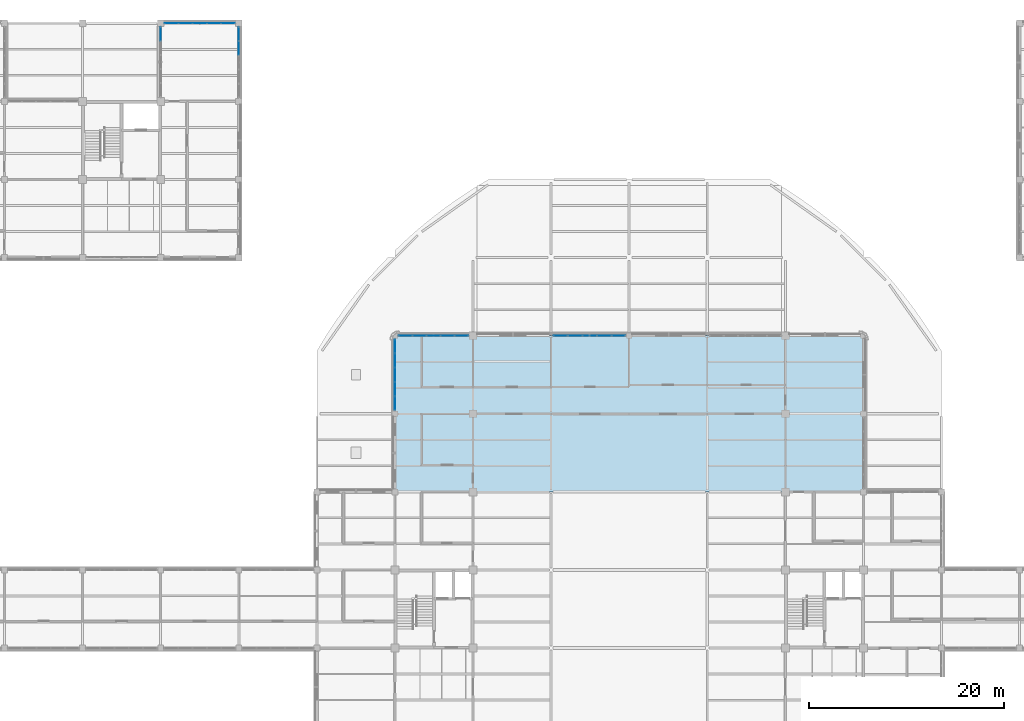
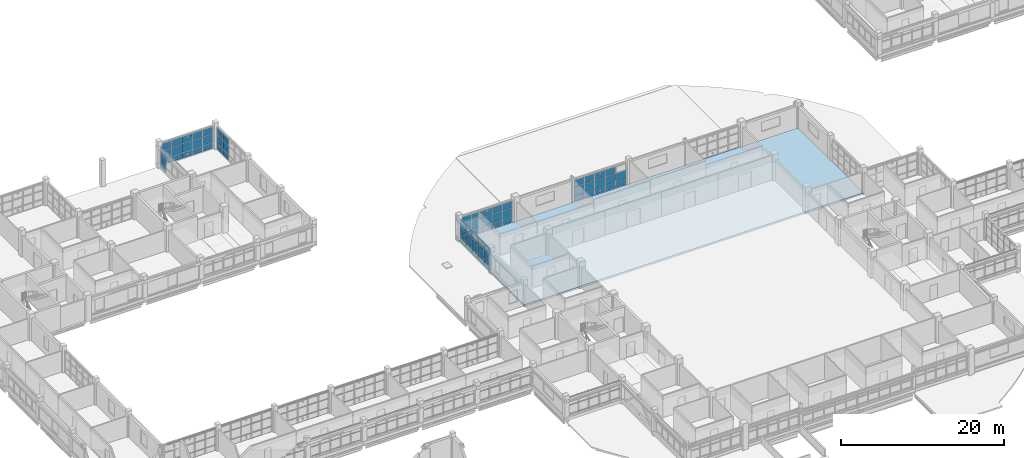
# One storey, part 75 of 126: 68 plates, 1 slab, 6 elements without a shape of their own.
"""IFC4 building model written with IfcOpenShell, lengths in metres."""

from ifc_helpers import new_model, si_unit, derived_unit, direction, frame, origin, origin_2d, place, context, subcontext, project, spatial, polyline, rectangle, outline, extrude, material, layer, layer_set, type_object, element, aggregate, save


model = new_model("IFC4")

# Units and contexts
model_context = context("Model", 3, precision=1e-05, world=origin(), true_north=direction((0.0, 1.0)))
body_context = subcontext(model_context, "Body", "Model", "MODEL_VIEW")
ifc_project = project(units=[si_unit("LENGTHUNIT", "METRE"), si_unit("AREAUNIT", "SQUARE_METRE"), si_unit("VOLUMEUNIT", "CUBIC_METRE"), si_unit("PLANEANGLEUNIT", "RADIAN"), si_unit("MASSUNIT", "GRAM", prefix="KILO"), derived_unit("THERMALTRANSMITTANCEUNIT", [(si_unit("MASSUNIT", "GRAM", prefix="KILO"), 1), (si_unit("TIMEUNIT", "SECOND"), -3), (si_unit("THERMODYNAMICTEMPERATUREUNIT", "KELVIN"), -1)])], contexts=[model_context])

# Site, building, storey
site_placement = place(None, origin())
site = spatial("IfcSite", under=ifc_project, at=site_placement, CompositionType="ELEMENT")
building_placement = place(site_placement, origin())
building = spatial("IfcBuilding", under=site, at=building_placement, Name="Veyamyaing Civic Hall", CompositionType="ELEMENT")
storey_placement = place(building_placement, frame((0.0, 0.0, 9.89990234375)))
storey = spatial("IfcBuildingStorey", under=building, at=storey_placement, Name="L02", CompositionType="ELEMENT", Elevation=9.89990234375)

# Curtain wall, plates
ifc_material_1 = material(Name="Anodised aluminium 6063-T6", Category="aluminium")
ifc_layer_1 = layer(ifc_material_1, 0.159912109375, Name="Anodised aluminium 6063-T6")
ifc_layer_set_1 = layer_set([ifc_layer_1], Name="Anodised aluminium 6063-T6")
curtain_wall_type = type_object("IfcCurtainWallType", Name="CW-03", PredefinedType="NOTDEFINED", material=ifc_layer_set_1)
curtain_wall_1_placement = place(storey_placement, origin())
curtain_wall_1 = element("IfcCurtainWall", 1, at=curtain_wall_1_placement, inside=storey, type_object=curtain_wall_type, Name="Unitized curtain wall CW-03 L02 N 9.10", PredefinedType="NOTDEFINED")
ifc_material_2 = material(Name="Low-E insulated glass", Category="glass")
ifc_layer_2 = layer(ifc_material_2, 0.035888671875, Name="Low-E insulated glass")
ifc_layer_set_2 = layer_set([ifc_layer_2], Name="Low-E insulated glass")
plate_type_1 = type_object("IfcPlateType", Name="CWP-03", PredefinedType="CURTAIN_PANEL", material=ifc_layer_set_2)
plate_1_placement = place(storey_placement, frame((65.0703125, 80.0, 0.06494140625), z_axis=(0.0, 0.0, 1.0), x_axis=(1.0, 0.0, 0.0)))
plate_1 = element("IfcPlate", 2, at=plate_1_placement, type_object=plate_type_1, Name="CW-03 panel 1.1", PredefinedType="CURTAIN_PANEL", context=body_context, shape_type="SweptSolid", body=[
    extrude(rectangle(XDim=1.3505859375, YDim=0.035888671875, at=origin_2d()), origin(), (0.0, 0.0, 1.0), 0.802490234375),
])
plate_2_placement = place(storey_placement, frame((65.0703125, 80.0, 0.9326171875), z_axis=(0.0, 0.0, 1.0), x_axis=(1.0, 0.0, 0.0)))
plate_2 = element("IfcPlate", 3, at=plate_2_placement, type_object=plate_type_1, Name="CW-03 panel 1.2", PredefinedType="CURTAIN_PANEL", context=body_context, shape_type="SweptSolid", body=[
    extrude(rectangle(XDim=1.3505859375, YDim=0.035888671875, at=origin_2d()), origin(), (0.0, 0.0, 1.0), 1.265380859375),
])
plate_3_placement = place(storey_placement, frame((65.0703125, 80.0, 2.262939453125), z_axis=(0.0, 0.0, 1.0), x_axis=(1.0, 0.0, 0.0)))
plate_3 = element("IfcPlate", 4, at=plate_3_placement, type_object=plate_type_1, Name="CW-03 panel 1.3", PredefinedType="CURTAIN_PANEL", context=body_context, shape_type="SweptSolid", body=[
    extrude(rectangle(XDim=1.3505859375, YDim=0.035888671875, at=origin_2d()), origin(), (0.0, 0.0, 1.0), 0.9521484375),
])
plate_4_placement = place(storey_placement, frame((66.501953125, 80.0, 0.06494140625), z_axis=(0.0, 0.0, 1.0), x_axis=(1.0, 0.0, 0.0)))
plate_4 = element("IfcPlate", 5, at=plate_4_placement, type_object=plate_type_1, Name="CW-03 panel 2.1", PredefinedType="CURTAIN_PANEL", context=body_context, shape_type="SweptSolid", body=[
    extrude(rectangle(XDim=1.383056640625, YDim=0.035888671875, at=origin_2d()), origin(), (0.0, 0.0, 1.0), 0.802490234375),
])
plate_5_placement = place(storey_placement, frame((66.501953125, 80.0, 0.9326171875), z_axis=(0.0, 0.0, 1.0), x_axis=(1.0, 0.0, 0.0)))
plate_5 = element("IfcPlate", 6, at=plate_5_placement, type_object=plate_type_1, Name="CW-03 panel 2.2", PredefinedType="CURTAIN_PANEL", context=body_context, shape_type="SweptSolid", body=[
    extrude(rectangle(XDim=1.383056640625, YDim=0.035888671875, at=origin_2d()), origin(), (0.0, 0.0, 1.0), 1.265380859375),
])
plate_6_placement = place(storey_placement, frame((66.501953125, 80.0, 2.262939453125), z_axis=(0.0, 0.0, 1.0), x_axis=(1.0, 0.0, 0.0)))
plate_6 = element("IfcPlate", 7, at=plate_6_placement, type_object=plate_type_1, Name="CW-03 panel 2.3", PredefinedType="CURTAIN_PANEL", context=body_context, shape_type="SweptSolid", body=[
    extrude(rectangle(XDim=1.383056640625, YDim=0.035888671875, at=origin_2d()), origin(), (0.0, 0.0, 1.0), 0.9521484375),
])
plate_7_placement = place(storey_placement, frame((67.949951171875, 80.0, 0.06494140625), z_axis=(0.0, 0.0, 1.0), x_axis=(1.0, 0.0, 0.0)))
plate_7 = element("IfcPlate", 8, at=plate_7_placement, type_object=plate_type_1, Name="CW-03 panel 3.1", PredefinedType="CURTAIN_PANEL", context=body_context, shape_type="SweptSolid", body=[
    extrude(rectangle(XDim=1.383056640625, YDim=0.035888671875, at=origin_2d()), origin(), (0.0, 0.0, 1.0), 0.802490234375),
])
plate_8_placement = place(storey_placement, frame((67.949951171875, 80.0, 0.9326171875), z_axis=(0.0, 0.0, 1.0), x_axis=(1.0, 0.0, 0.0)))
plate_8 = element("IfcPlate", 9, at=plate_8_placement, type_object=plate_type_1, Name="CW-03 panel 3.2", PredefinedType="CURTAIN_PANEL", context=body_context, shape_type="SweptSolid", body=[
    extrude(rectangle(XDim=1.383056640625, YDim=0.035888671875, at=origin_2d()), origin(), (0.0, 0.0, 1.0), 1.265380859375),
])
plate_9_placement = place(storey_placement, frame((67.949951171875, 80.0, 2.262939453125), z_axis=(0.0, 0.0, 1.0), x_axis=(1.0, 0.0, 0.0)))
plate_9 = element("IfcPlate", 10, at=plate_9_placement, type_object=plate_type_1, Name="CW-03 panel 3.3", PredefinedType="CURTAIN_PANEL", context=body_context, shape_type="SweptSolid", body=[
    extrude(rectangle(XDim=1.383056640625, YDim=0.035888671875, at=origin_2d()), origin(), (0.0, 0.0, 1.0), 0.9521484375),
])
plate_10_placement = place(storey_placement, frame((69.39794921875, 80.0, 0.06494140625), z_axis=(0.0, 0.0, 1.0), x_axis=(1.0, 0.0, 0.0)))
plate_10 = element("IfcPlate", 11, at=plate_10_placement, type_object=plate_type_1, Name="CW-03 panel 4.1", PredefinedType="CURTAIN_PANEL", context=body_context, shape_type="SweptSolid", body=[
    extrude(rectangle(XDim=1.383056640625, YDim=0.035888671875, at=origin_2d()), origin(), (0.0, 0.0, 1.0), 0.802490234375),
])
plate_11_placement = place(storey_placement, frame((69.39794921875, 80.0, 0.9326171875), z_axis=(0.0, 0.0, 1.0), x_axis=(1.0, 0.0, 0.0)))
plate_11 = element("IfcPlate", 12, at=plate_11_placement, type_object=plate_type_1, Name="CW-03 panel 4.2", PredefinedType="CURTAIN_PANEL", context=body_context, shape_type="SweptSolid", body=[
    extrude(rectangle(XDim=1.383056640625, YDim=0.035888671875, at=origin_2d()), origin(), (0.0, 0.0, 1.0), 1.265380859375),
])
plate_12_placement = place(storey_placement, frame((69.39794921875, 80.0, 2.262939453125), z_axis=(0.0, 0.0, 1.0), x_axis=(1.0, 0.0, 0.0)))
plate_12 = element("IfcPlate", 13, at=plate_12_placement, type_object=plate_type_1, Name="CW-03 panel 4.3", PredefinedType="CURTAIN_PANEL", context=body_context, shape_type="SweptSolid", body=[
    extrude(rectangle(XDim=1.383056640625, YDim=0.035888671875, at=origin_2d()), origin(), (0.0, 0.0, 1.0), 0.9521484375),
])
plate_13_placement = place(storey_placement, frame((70.829833984375, 80.0, 0.06494140625), z_axis=(0.0, 0.0, 1.0), x_axis=(1.0, 0.0, 0.0)))
plate_13 = element("IfcPlate", 14, at=plate_13_placement, type_object=plate_type_1, Name="CW-03 panel 5.1", PredefinedType="CURTAIN_PANEL", context=body_context, shape_type="SweptSolid", body=[
    extrude(rectangle(XDim=1.3505859375, YDim=0.035888671875, at=origin_2d()), origin(), (0.0, 0.0, 1.0), 0.802490234375),
])
plate_14_placement = place(storey_placement, frame((70.829833984375, 80.0, 0.9326171875), z_axis=(0.0, 0.0, 1.0), x_axis=(1.0, 0.0, 0.0)))
plate_14 = element("IfcPlate", 15, at=plate_14_placement, type_object=plate_type_1, Name="CW-03 panel 5.2", PredefinedType="CURTAIN_PANEL", context=body_context, shape_type="SweptSolid", body=[
    extrude(rectangle(XDim=1.3505859375, YDim=0.035888671875, at=origin_2d()), origin(), (0.0, 0.0, 1.0), 1.265380859375),
])
plate_15_placement = place(storey_placement, frame((70.829833984375, 80.0, 2.262939453125), z_axis=(0.0, 0.0, 1.0), x_axis=(1.0, 0.0, 0.0)))
plate_15 = element("IfcPlate", 16, at=plate_15_placement, type_object=plate_type_1, Name="CW-03 panel 5.3", PredefinedType="CURTAIN_PANEL", context=body_context, shape_type="SweptSolid", body=[
    extrude(rectangle(XDim=1.3505859375, YDim=0.035888671875, at=origin_2d()), origin(), (0.0, 0.0, 1.0), 0.9521484375),
])
aggregate(curtain_wall_1, [plate_1, plate_2, plate_3, plate_4, plate_5, plate_6, plate_7, plate_8, plate_9, plate_10, plate_11, plate_12, plate_13, plate_14, plate_15])

curtain_wall_2_placement = place(storey_placement, origin())
curtain_wall_2 = element("IfcCurtainWall", 17, at=curtain_wall_2_placement, inside=storey, type_object=curtain_wall_type, Name="Unitized curtain wall CW-03 L02 W 9.10", PredefinedType="NOTDEFINED")
plate_16_placement = place(storey_placement, frame((64.0, 73.080322265625, 0.06494140625), z_axis=(0.0, 0.0, 1.0), x_axis=(0.0, 1.0, 0.0)))
plate_16 = element("IfcPlate", 18, at=plate_16_placement, type_object=plate_type_1, Name="CW-03 panel 1.1", PredefinedType="CURTAIN_PANEL", context=body_context, shape_type="SweptSolid", body=[
    extrude(rectangle(XDim=1.37060546875, YDim=0.035888671875, at=origin_2d()), origin(), (0.0, 0.0, 1.0), 0.802490234375),
])
plate_17_placement = place(storey_placement, frame((64.0, 73.080322265625, 0.9326171875), z_axis=(0.0, 0.0, 1.0), x_axis=(0.0, 1.0, 0.0)))
plate_17 = element("IfcPlate", 19, at=plate_17_placement, type_object=plate_type_1, Name="CW-03 panel 1.2", PredefinedType="CURTAIN_PANEL", context=body_context, shape_type="SweptSolid", body=[
    extrude(rectangle(XDim=1.37060546875, YDim=0.035888671875, at=origin_2d()), origin(), (0.0, 0.0, 1.0), 1.31103515625),
])
plate_18_placement = place(storey_placement, frame((64.0, 73.080322265625, 2.30859375), z_axis=(0.0, 0.0, 1.0), x_axis=(0.0, 1.0, 0.0)))
plate_18 = element("IfcPlate", 20, at=plate_18_placement, type_object=plate_type_1, Name="CW-03 panel 1.3", PredefinedType="CURTAIN_PANEL", context=body_context, shape_type="SweptSolid", body=[
    extrude(rectangle(XDim=1.37060546875, YDim=0.035888671875, at=origin_2d()), origin(), (0.0, 0.0, 1.0), 0.973388671875),
])
plate_19_placement = place(storey_placement, frame((64.0, 74.531982421875, 0.06494140625), z_axis=(0.0, 0.0, 1.0), x_axis=(0.0, 1.0, 0.0)))
plate_19 = element("IfcPlate", 21, at=plate_19_placement, type_object=plate_type_1, Name="CW-03 panel 2.1", PredefinedType="CURTAIN_PANEL", context=body_context, shape_type="SweptSolid", body=[
    extrude(rectangle(XDim=1.403076171875, YDim=0.035888671875, at=origin_2d()), origin(), (0.0, 0.0, 1.0), 0.802490234375),
])
plate_20_placement = place(storey_placement, frame((64.0, 74.531982421875, 0.9326171875), z_axis=(0.0, 0.0, 1.0), x_axis=(0.0, 1.0, 0.0)))
plate_20 = element("IfcPlate", 22, at=plate_20_placement, type_object=plate_type_1, Name="CW-03 panel 2.2", PredefinedType="CURTAIN_PANEL", context=body_context, shape_type="SweptSolid", body=[
    extrude(rectangle(XDim=1.403076171875, YDim=0.035888671875, at=origin_2d()), origin(), (0.0, 0.0, 1.0), 1.31103515625),
])
plate_21_placement = place(storey_placement, frame((64.0, 74.531982421875, 2.30859375), z_axis=(0.0, 0.0, 1.0), x_axis=(0.0, 1.0, 0.0)))
plate_21 = element("IfcPlate", 23, at=plate_21_placement, type_object=plate_type_1, Name="CW-03 panel 2.3", PredefinedType="CURTAIN_PANEL", context=body_context, shape_type="SweptSolid", body=[
    extrude(rectangle(XDim=1.403076171875, YDim=0.035888671875, at=origin_2d()), origin(), (0.0, 0.0, 1.0), 0.973388671875),
])
plate_22_placement = place(storey_placement, frame((64.0, 76.0, 0.06494140625), z_axis=(0.0, 0.0, 1.0), x_axis=(0.0, 1.0, 0.0)))
plate_22 = element("IfcPlate", 24, at=plate_22_placement, type_object=plate_type_1, Name="CW-03 panel 3.1", PredefinedType="CURTAIN_PANEL", context=body_context, shape_type="SweptSolid", body=[
    extrude(rectangle(XDim=1.403076171875, YDim=0.035888671875, at=origin_2d()), origin(), (0.0, 0.0, 1.0), 0.802490234375),
])
plate_23_placement = place(storey_placement, frame((64.0, 76.0, 0.9326171875), z_axis=(0.0, 0.0, 1.0), x_axis=(0.0, 1.0, 0.0)))
plate_23 = element("IfcPlate", 25, at=plate_23_placement, type_object=plate_type_1, Name="CW-03 panel 3.2", PredefinedType="CURTAIN_PANEL", context=body_context, shape_type="SweptSolid", body=[
    extrude(rectangle(XDim=1.403076171875, YDim=0.035888671875, at=origin_2d()), origin(), (0.0, 0.0, 1.0), 1.31103515625),
])
plate_24_placement = place(storey_placement, frame((64.0, 76.0, 2.30859375), z_axis=(0.0, 0.0, 1.0), x_axis=(0.0, 1.0, 0.0)))
plate_24 = element("IfcPlate", 26, at=plate_24_placement, type_object=plate_type_1, Name="CW-03 panel 3.3", PredefinedType="CURTAIN_PANEL", context=body_context, shape_type="SweptSolid", body=[
    extrude(rectangle(XDim=1.403076171875, YDim=0.035888671875, at=origin_2d()), origin(), (0.0, 0.0, 1.0), 0.973388671875),
])
plate_25_placement = place(storey_placement, frame((64.0, 77.468017578125, 0.06494140625), z_axis=(0.0, 0.0, 1.0), x_axis=(0.0, 1.0, 0.0)))
plate_25 = element("IfcPlate", 27, at=plate_25_placement, type_object=plate_type_1, Name="CW-03 panel 4.1", PredefinedType="CURTAIN_PANEL", context=body_context, shape_type="SweptSolid", body=[
    extrude(rectangle(XDim=1.403076171875, YDim=0.035888671875, at=origin_2d()), origin(), (0.0, 0.0, 1.0), 0.802490234375),
])
plate_26_placement = place(storey_placement, frame((64.0, 77.468017578125, 0.9326171875), z_axis=(0.0, 0.0, 1.0), x_axis=(0.0, 1.0, 0.0)))
plate_26 = element("IfcPlate", 28, at=plate_26_placement, type_object=plate_type_1, Name="CW-03 panel 4.2", PredefinedType="CURTAIN_PANEL", context=body_context, shape_type="SweptSolid", body=[
    extrude(rectangle(XDim=1.403076171875, YDim=0.035888671875, at=origin_2d()), origin(), (0.0, 0.0, 1.0), 1.31103515625),
])
plate_27_placement = place(storey_placement, frame((64.0, 77.468017578125, 2.30859375), z_axis=(0.0, 0.0, 1.0), x_axis=(0.0, 1.0, 0.0)))
plate_27 = element("IfcPlate", 29, at=plate_27_placement, type_object=plate_type_1, Name="CW-03 panel 4.3", PredefinedType="CURTAIN_PANEL", context=body_context, shape_type="SweptSolid", body=[
    extrude(rectangle(XDim=1.403076171875, YDim=0.035888671875, at=origin_2d()), origin(), (0.0, 0.0, 1.0), 0.973388671875),
])
plate_28_placement = place(storey_placement, frame((64.0, 78.919677734375, 0.06494140625), z_axis=(0.0, 0.0, 1.0), x_axis=(0.0, 1.0, 0.0)))
plate_28 = element("IfcPlate", 30, at=plate_28_placement, type_object=plate_type_1, Name="CW-03 panel 5.1", PredefinedType="CURTAIN_PANEL", context=body_context, shape_type="SweptSolid", body=[
    extrude(rectangle(XDim=1.37060546875, YDim=0.035888671875, at=origin_2d()), origin(), (0.0, 0.0, 1.0), 0.802490234375),
])
plate_29_placement = place(storey_placement, frame((64.0, 78.919677734375, 0.9326171875), z_axis=(0.0, 0.0, 1.0), x_axis=(0.0, 1.0, 0.0)))
plate_29 = element("IfcPlate", 31, at=plate_29_placement, type_object=plate_type_1, Name="CW-03 panel 5.2", PredefinedType="CURTAIN_PANEL", context=body_context, shape_type="SweptSolid", body=[
    extrude(rectangle(XDim=1.37060546875, YDim=0.035888671875, at=origin_2d()), origin(), (0.0, 0.0, 1.0), 1.31103515625),
])
plate_30_placement = place(storey_placement, frame((64.0, 78.919677734375, 2.30859375), z_axis=(0.0, 0.0, 1.0), x_axis=(0.0, 1.0, 0.0)))
plate_30 = element("IfcPlate", 32, at=plate_30_placement, type_object=plate_type_1, Name="CW-03 panel 5.3", PredefinedType="CURTAIN_PANEL", context=body_context, shape_type="SweptSolid", body=[
    extrude(rectangle(XDim=1.37060546875, YDim=0.035888671875, at=origin_2d()), origin(), (0.0, 0.0, 1.0), 0.973388671875),
])
aggregate(curtain_wall_2, [plate_16, plate_17, plate_18, plate_19, plate_20, plate_21, plate_22, plate_23, plate_24, plate_25, plate_26, plate_27, plate_28, plate_29, plate_30])

curtain_wall_3_placement = place(storey_placement, origin())
curtain_wall_3 = element("IfcCurtainWall", 33, at=curtain_wall_3_placement, inside=storey, type_object=curtain_wall_type, Name="Unitized curtain wall CW-03 L02 N 6.14", PredefinedType="NOTDEFINED")
ifc_layer_3 = layer(ifc_material_2, 0.02392578125, Name="Low-E insulated glass")
ifc_layer_set_3 = layer_set([ifc_layer_3], Name="Low-E insulated glass")
plate_type_2 = type_object("IfcPlateType", Name="CWP-04", PredefinedType="CURTAIN_PANEL", material=ifc_layer_set_3)
plate_31_placement = place(storey_placement, frame((41.100341796875, 112.0, 0.06494140625), z_axis=(0.0, 0.0, 1.0), x_axis=(1.0, 0.0, 0.0)))
plate_31 = element("IfcPlate", 34, at=plate_31_placement, type_object=plate_type_2, Name="CW-03 panel 1.1", PredefinedType="CURTAIN_PANEL", context=body_context, shape_type="SweptSolid", body=[
    extrude(rectangle(XDim=1.360595703125, YDim=0.02392578125, at=origin_2d()), origin(), (0.0, 0.0, 1.0), 0.802490234375),
])
plate_32_placement = place(storey_placement, frame((41.100341796875, 112.0, 0.9326171875), z_axis=(0.0, 0.0, 1.0), x_axis=(1.0, 0.0, 0.0)))
plate_32 = element("IfcPlate", 35, at=plate_32_placement, type_object=plate_type_2, Name="CW-03 panel 1.2", PredefinedType="CURTAIN_PANEL", context=body_context, shape_type="SweptSolid", body=[
    extrude(rectangle(XDim=1.360595703125, YDim=0.02392578125, at=origin_2d()), origin(), (0.0, 0.0, 1.0), 1.308837890625),
])
plate_33_placement = place(storey_placement, frame((41.100341796875, 112.0, 2.306396484375), z_axis=(0.0, 0.0, 1.0), x_axis=(1.0, 0.0, 0.0)))
plate_33 = element("IfcPlate", 36, at=plate_33_placement, type_object=plate_type_2, Name="CW-03 panel 1.3", PredefinedType="CURTAIN_PANEL", context=body_context, shape_type="SweptSolid", body=[
    extrude(rectangle(XDim=1.360595703125, YDim=0.02392578125, at=origin_2d()), origin(), (0.0, 0.0, 1.0), 0.97265625),
])
plate_34_placement = place(storey_placement, frame((42.5419921875, 112.0, 0.06494140625), z_axis=(0.0, 0.0, 1.0), x_axis=(1.0, 0.0, 0.0)))
plate_34 = element("IfcPlate", 37, at=plate_34_placement, type_object=plate_type_2, Name="CW-03 panel 2.1", PredefinedType="CURTAIN_PANEL", context=body_context, shape_type="SweptSolid", body=[
    extrude(rectangle(XDim=1.39306640625, YDim=0.02392578125, at=origin_2d()), origin(), (0.0, 0.0, 1.0), 0.802490234375),
])
plate_35_placement = place(storey_placement, frame((42.5419921875, 112.0, 0.9326171875), z_axis=(0.0, 0.0, 1.0), x_axis=(1.0, 0.0, 0.0)))
plate_35 = element("IfcPlate", 38, at=plate_35_placement, type_object=plate_type_2, Name="CW-03 panel 2.2", PredefinedType="CURTAIN_PANEL", context=body_context, shape_type="SweptSolid", body=[
    extrude(rectangle(XDim=1.39306640625, YDim=0.02392578125, at=origin_2d()), origin(), (0.0, 0.0, 1.0), 1.308837890625),
])
plate_36_placement = place(storey_placement, frame((42.5419921875, 112.0, 2.306396484375), z_axis=(0.0, 0.0, 1.0), x_axis=(1.0, 0.0, 0.0)))
plate_36 = element("IfcPlate", 39, at=plate_36_placement, type_object=plate_type_2, Name="CW-03 panel 2.3", PredefinedType="CURTAIN_PANEL", context=body_context, shape_type="SweptSolid", body=[
    extrude(rectangle(XDim=1.39306640625, YDim=0.02392578125, at=origin_2d()), origin(), (0.0, 0.0, 1.0), 0.97265625),
])
plate_37_placement = place(storey_placement, frame((44.0, 112.0, 0.06494140625), z_axis=(0.0, 0.0, 1.0), x_axis=(1.0, 0.0, 0.0)))
plate_37 = element("IfcPlate", 40, at=plate_37_placement, type_object=plate_type_2, Name="CW-03 panel 3.1", PredefinedType="CURTAIN_PANEL", context=body_context, shape_type="SweptSolid", body=[
    extrude(rectangle(XDim=1.39306640625, YDim=0.02392578125, at=origin_2d()), origin(), (0.0, 0.0, 1.0), 0.802490234375),
])
plate_38_placement = place(storey_placement, frame((44.0, 112.0, 0.9326171875), z_axis=(0.0, 0.0, 1.0), x_axis=(1.0, 0.0, 0.0)))
plate_38 = element("IfcPlate", 41, at=plate_38_placement, type_object=plate_type_2, Name="CW-03 panel 3.2", PredefinedType="CURTAIN_PANEL", context=body_context, shape_type="SweptSolid", body=[
    extrude(rectangle(XDim=1.39306640625, YDim=0.02392578125, at=origin_2d()), origin(), (0.0, 0.0, 1.0), 1.308837890625),
])
plate_39_placement = place(storey_placement, frame((44.0, 112.0, 2.306396484375), z_axis=(0.0, 0.0, 1.0), x_axis=(1.0, 0.0, 0.0)))
plate_39 = element("IfcPlate", 42, at=plate_39_placement, type_object=plate_type_2, Name="CW-03 panel 3.3", PredefinedType="CURTAIN_PANEL", context=body_context, shape_type="SweptSolid", body=[
    extrude(rectangle(XDim=1.39306640625, YDim=0.02392578125, at=origin_2d()), origin(), (0.0, 0.0, 1.0), 0.97265625),
])
plate_40_placement = place(storey_placement, frame((45.4580078125, 112.0, 0.06494140625), z_axis=(0.0, 0.0, 1.0), x_axis=(1.0, 0.0, 0.0)))
plate_40 = element("IfcPlate", 43, at=plate_40_placement, type_object=plate_type_2, Name="CW-03 panel 4.1", PredefinedType="CURTAIN_PANEL", context=body_context, shape_type="SweptSolid", body=[
    extrude(rectangle(XDim=1.39306640625, YDim=0.02392578125, at=origin_2d()), origin(), (0.0, 0.0, 1.0), 0.802490234375),
])
plate_41_placement = place(storey_placement, frame((45.4580078125, 112.0, 0.9326171875), z_axis=(0.0, 0.0, 1.0), x_axis=(1.0, 0.0, 0.0)))
plate_41 = element("IfcPlate", 44, at=plate_41_placement, type_object=plate_type_2, Name="CW-03 panel 4.2", PredefinedType="CURTAIN_PANEL", context=body_context, shape_type="SweptSolid", body=[
    extrude(rectangle(XDim=1.39306640625, YDim=0.02392578125, at=origin_2d()), origin(), (0.0, 0.0, 1.0), 1.308837890625),
])
plate_42_placement = place(storey_placement, frame((45.4580078125, 112.0, 2.306396484375), z_axis=(0.0, 0.0, 1.0), x_axis=(1.0, 0.0, 0.0)))
plate_42 = element("IfcPlate", 45, at=plate_42_placement, type_object=plate_type_2, Name="CW-03 panel 4.3", PredefinedType="CURTAIN_PANEL", context=body_context, shape_type="SweptSolid", body=[
    extrude(rectangle(XDim=1.39306640625, YDim=0.02392578125, at=origin_2d()), origin(), (0.0, 0.0, 1.0), 0.97265625),
])
plate_43_placement = place(storey_placement, frame((46.899658203125, 112.0, 0.06494140625), z_axis=(0.0, 0.0, 1.0), x_axis=(1.0, 0.0, 0.0)))
plate_43 = element("IfcPlate", 46, at=plate_43_placement, type_object=plate_type_2, Name="CW-03 panel 5.1", PredefinedType="CURTAIN_PANEL", context=body_context, shape_type="SweptSolid", body=[
    extrude(rectangle(XDim=1.360595703125, YDim=0.02392578125, at=origin_2d()), origin(), (0.0, 0.0, 1.0), 0.802490234375),
])
plate_44_placement = place(storey_placement, frame((46.899658203125, 112.0, 0.9326171875), z_axis=(0.0, 0.0, 1.0), x_axis=(1.0, 0.0, 0.0)))
plate_44 = element("IfcPlate", 47, at=plate_44_placement, type_object=plate_type_2, Name="CW-03 panel 5.2", PredefinedType="CURTAIN_PANEL", context=body_context, shape_type="SweptSolid", body=[
    extrude(rectangle(XDim=1.360595703125, YDim=0.02392578125, at=origin_2d()), origin(), (0.0, 0.0, 1.0), 1.308837890625),
])
plate_45_placement = place(storey_placement, frame((46.899658203125, 112.0, 2.306396484375), z_axis=(0.0, 0.0, 1.0), x_axis=(1.0, 0.0, 0.0)))
plate_45 = element("IfcPlate", 48, at=plate_45_placement, type_object=plate_type_2, Name="CW-03 panel 5.3", PredefinedType="CURTAIN_PANEL", context=body_context, shape_type="SweptSolid", body=[
    extrude(rectangle(XDim=1.360595703125, YDim=0.02392578125, at=origin_2d()), origin(), (0.0, 0.0, 1.0), 0.97265625),
])
aggregate(curtain_wall_3, [plate_31, plate_32, plate_33, plate_34, plate_35, plate_36, plate_37, plate_38, plate_39, plate_40, plate_41, plate_42, plate_43, plate_44, plate_45])

curtain_wall_4_placement = place(storey_placement, origin())
curtain_wall_4 = element("IfcCurtainWall", 49, at=curtain_wall_4_placement, inside=storey, type_object=curtain_wall_type, Name="Unitized curtain wall CW-03 L02 W 6.14", PredefinedType="NOTDEFINED")
plate_46_placement = place(storey_placement, frame((40.0, 110.9072265625, 0.06494140625), z_axis=(0.0, 0.0, 1.0), x_axis=(0.0, 1.0, 0.0)))
plate_46 = element("IfcPlate", 50, at=plate_46_placement, type_object=plate_type_2, Name="CW-03 panel 5.1", PredefinedType="CURTAIN_PANEL", context=body_context, shape_type="SweptSolid", body=[
    extrude(rectangle(XDim=1.345458984375, YDim=0.02392578125, at=origin_2d()), origin(), (0.0, 0.0, 1.0), 0.802490234375),
])
plate_47_placement = place(storey_placement, frame((40.0, 110.9072265625, 0.9326171875), z_axis=(0.0, 0.0, 1.0), x_axis=(0.0, 1.0, 0.0)))
plate_47 = element("IfcPlate", 51, at=plate_47_placement, type_object=plate_type_2, Name="CW-03 panel 5.2", PredefinedType="CURTAIN_PANEL", context=body_context, shape_type="SweptSolid", body=[
    extrude(rectangle(XDim=1.345458984375, YDim=0.02392578125, at=origin_2d()), origin(), (0.0, 0.0, 1.0), 1.265380859375),
])
plate_48_placement = place(storey_placement, frame((40.0, 110.9072265625, 2.262939453125), z_axis=(0.0, 0.0, 1.0), x_axis=(0.0, 1.0, 0.0)))
plate_48 = element("IfcPlate", 52, at=plate_48_placement, type_object=plate_type_2, Name="CW-03 panel 5.3", PredefinedType="CURTAIN_PANEL", context=body_context, shape_type="SweptSolid", body=[
    extrude(rectangle(XDim=1.345458984375, YDim=0.02392578125, at=origin_2d()), origin(), (0.0, 0.0, 1.0), 0.9521484375),
])
aggregate(curtain_wall_4, [plate_46, plate_47, plate_48])

curtain_wall_5_placement = place(storey_placement, origin())
curtain_wall_5 = element("IfcCurtainWall", 53, at=curtain_wall_5_placement, inside=storey, type_object=curtain_wall_type, Name="Unitized curtain wall CW-03 L02 E 6.14", PredefinedType="NOTDEFINED")
plate_49_placement = place(storey_placement, frame((48.0, 109.4580078125, 0.06494140625), z_axis=(0.0, 0.0, 1.0), x_axis=(0.0, 1.0, 0.0)))
plate_49 = element("IfcPlate", 54, at=plate_49_placement, type_object=plate_type_2, Name="CW-03 panel 4.1", PredefinedType="CURTAIN_PANEL", context=body_context, shape_type="SweptSolid", body=[
    extrude(rectangle(XDim=1.39306640625, YDim=0.02392578125, at=origin_2d()), origin(), (0.0, 0.0, 1.0), 0.802490234375),
])
plate_50_placement = place(storey_placement, frame((48.0, 109.4580078125, 0.9326171875), z_axis=(0.0, 0.0, 1.0), x_axis=(0.0, 1.0, 0.0)))
plate_50 = element("IfcPlate", 55, at=plate_50_placement, type_object=plate_type_2, Name="CW-03 panel 4.2", PredefinedType="CURTAIN_PANEL", context=body_context, shape_type="SweptSolid", body=[
    extrude(rectangle(XDim=1.39306640625, YDim=0.02392578125, at=origin_2d()), origin(), (0.0, 0.0, 1.0), 1.308837890625),
])
plate_51_placement = place(storey_placement, frame((48.0, 109.4580078125, 2.306396484375), z_axis=(0.0, 0.0, 1.0), x_axis=(0.0, 1.0, 0.0)))
plate_51 = element("IfcPlate", 56, at=plate_51_placement, type_object=plate_type_2, Name="CW-03 panel 4.3", PredefinedType="CURTAIN_PANEL", context=body_context, shape_type="SweptSolid", body=[
    extrude(rectangle(XDim=1.39306640625, YDim=0.02392578125, at=origin_2d()), origin(), (0.0, 0.0, 1.0), 0.97265625),
])
plate_52_placement = place(storey_placement, frame((48.0, 110.899658203125, 0.06494140625), z_axis=(0.0, 0.0, 1.0), x_axis=(0.0, 1.0, 0.0)))
plate_52 = element("IfcPlate", 57, at=plate_52_placement, type_object=plate_type_2, Name="CW-03 panel 5.1", PredefinedType="CURTAIN_PANEL", context=body_context, shape_type="SweptSolid", body=[
    extrude(rectangle(XDim=1.360595703125, YDim=0.02392578125, at=origin_2d()), origin(), (0.0, 0.0, 1.0), 0.802490234375),
])
plate_53_placement = place(storey_placement, frame((48.0, 110.899658203125, 0.9326171875), z_axis=(0.0, 0.0, 1.0), x_axis=(0.0, 1.0, 0.0)))
plate_53 = element("IfcPlate", 58, at=plate_53_placement, type_object=plate_type_2, Name="CW-03 panel 5.2", PredefinedType="CURTAIN_PANEL", context=body_context, shape_type="SweptSolid", body=[
    extrude(rectangle(XDim=1.360595703125, YDim=0.02392578125, at=origin_2d()), origin(), (0.0, 0.0, 1.0), 1.308837890625),
])
plate_54_placement = place(storey_placement, frame((48.0, 110.899658203125, 2.306396484375), z_axis=(0.0, 0.0, 1.0), x_axis=(0.0, 1.0, 0.0)))
plate_54 = element("IfcPlate", 59, at=plate_54_placement, type_object=plate_type_2, Name="CW-03 panel 5.3", PredefinedType="CURTAIN_PANEL", context=body_context, shape_type="SweptSolid", body=[
    extrude(rectangle(XDim=1.360595703125, YDim=0.02392578125, at=origin_2d()), origin(), (0.0, 0.0, 1.0), 0.97265625),
])
aggregate(curtain_wall_5, [plate_49, plate_50, plate_51, plate_52, plate_53, plate_54])

curtain_wall_6_placement = place(storey_placement, origin())
curtain_wall_6 = element("IfcCurtainWall", 60, at=curtain_wall_6_placement, inside=storey, type_object=curtain_wall_type, Name="Unitized curtain wall CW-03 L02 N 11.10", PredefinedType="NOTDEFINED")
ifc_layer_4 = layer(ifc_material_2, 0.0400390625, Name="Low-E insulated glass")
ifc_layer_set_4 = layer_set([ifc_layer_4], Name="Low-E insulated glass")
plate_type_3 = type_object("IfcPlateType", Name="CWP-05", PredefinedType="CURTAIN_PANEL", material=ifc_layer_set_4)
plate_55_placement = place(storey_placement, frame((80.977294921875, 80.0, 0.06494140625), z_axis=(0.0, 0.0, 1.0), x_axis=(1.0, 0.0, 0.0)))
plate_55 = element("IfcPlate", 61, at=plate_55_placement, type_object=plate_type_3, Name="CW-03 panel 1.1", PredefinedType="CURTAIN_PANEL", context=body_context, shape_type="SweptSolid", body=[
    extrude(rectangle(XDim=1.393310546875, YDim=0.0400390625, at=origin_2d()), origin(), (0.0, 0.0, 1.0), 0.802490234375),
])
plate_56_placement = place(storey_placement, frame((80.977294921875, 80.0, 0.9326171875), z_axis=(0.0, 0.0, 1.0), x_axis=(1.0, 0.0, 0.0)))
plate_56 = element("IfcPlate", 62, at=plate_56_placement, type_object=plate_type_3, Name="CW-03 panel 1.2", PredefinedType="CURTAIN_PANEL", context=body_context, shape_type="SweptSolid", body=[
    extrude(rectangle(XDim=1.393310546875, YDim=0.0400390625, at=origin_2d()), origin(), (0.0, 0.0, 1.0), 1.26806640625),
])
plate_57_placement = place(storey_placement, frame((80.977294921875, 80.0, 2.265625), z_axis=(0.0, 0.0, 1.0), x_axis=(1.0, 0.0, 0.0)))
plate_57 = element("IfcPlate", 63, at=plate_57_placement, type_object=plate_type_3, Name="CW-03 panel 1.3", PredefinedType="CURTAIN_PANEL", context=body_context, shape_type="SweptSolid", body=[
    extrude(rectangle(XDim=1.393310546875, YDim=0.0400390625, at=origin_2d()), origin(), (0.0, 0.0, 1.0), 0.953369140625),
])
plate_58_placement = place(storey_placement, frame((82.451904296875, 80.0, 0.06494140625), z_axis=(0.0, 0.0, 1.0), x_axis=(1.0, 0.0, 0.0)))
plate_58 = element("IfcPlate", 64, at=plate_58_placement, type_object=plate_type_3, Name="CW-03 panel 2.1", PredefinedType="CURTAIN_PANEL", context=body_context, shape_type="SweptSolid", body=[
    extrude(rectangle(XDim=1.42578125, YDim=0.0400390625, at=origin_2d()), origin(), (0.0, 0.0, 1.0), 0.802490234375),
])
plate_59_placement = place(storey_placement, frame((82.451904296875, 80.0, 0.9326171875), z_axis=(0.0, 0.0, 1.0), x_axis=(1.0, 0.0, 0.0)))
plate_59 = element("IfcPlate", 65, at=plate_59_placement, type_object=plate_type_3, Name="CW-03 panel 2.2", PredefinedType="CURTAIN_PANEL", context=body_context, shape_type="SweptSolid", body=[
    extrude(rectangle(XDim=1.42578125, YDim=0.0400390625, at=origin_2d()), origin(), (0.0, 0.0, 1.0), 1.26806640625),
])
plate_60_placement = place(storey_placement, frame((82.451904296875, 80.0, 2.265625), z_axis=(0.0, 0.0, 1.0), x_axis=(1.0, 0.0, 0.0)))
plate_60 = element("IfcPlate", 66, at=plate_60_placement, type_object=plate_type_3, Name="CW-03 panel 2.3", PredefinedType="CURTAIN_PANEL", context=body_context, shape_type="SweptSolid", body=[
    extrude(rectangle(XDim=1.42578125, YDim=0.0400390625, at=origin_2d()), origin(), (0.0, 0.0, 1.0), 0.953369140625),
])
plate_61_placement = place(storey_placement, frame((83.94287109375, 80.0, 0.06494140625), z_axis=(0.0, 0.0, 1.0), x_axis=(1.0, 0.0, 0.0)))
plate_61 = element("IfcPlate", 67, at=plate_61_placement, type_object=plate_type_3, Name="CW-03 panel 3.1", PredefinedType="CURTAIN_PANEL", context=body_context, shape_type="SweptSolid", body=[
    extrude(rectangle(XDim=1.42578125, YDim=0.0400390625, at=origin_2d()), origin(), (0.0, 0.0, 1.0), 0.802490234375),
])
plate_62_placement = place(storey_placement, frame((83.94287109375, 80.0, 0.9326171875), z_axis=(0.0, 0.0, 1.0), x_axis=(1.0, 0.0, 0.0)))
plate_62 = element("IfcPlate", 68, at=plate_62_placement, type_object=plate_type_3, Name="CW-03 panel 3.2", PredefinedType="CURTAIN_PANEL", context=body_context, shape_type="SweptSolid", body=[
    extrude(rectangle(XDim=1.42578125, YDim=0.0400390625, at=origin_2d()), origin(), (0.0, 0.0, 1.0), 1.26806640625),
])
plate_63_placement = place(storey_placement, frame((83.94287109375, 80.0, 2.265625), z_axis=(0.0, 0.0, 1.0), x_axis=(1.0, 0.0, 0.0)))
plate_63 = element("IfcPlate", 69, at=plate_63_placement, type_object=plate_type_3, Name="CW-03 panel 3.3", PredefinedType="CURTAIN_PANEL", context=body_context, shape_type="SweptSolid", body=[
    extrude(rectangle(XDim=1.42578125, YDim=0.0400390625, at=origin_2d()), origin(), (0.0, 0.0, 1.0), 0.953369140625),
])
plate_64_placement = place(storey_placement, frame((85.43359375, 80.0, 0.06494140625), z_axis=(0.0, 0.0, 1.0), x_axis=(1.0, 0.0, 0.0)))
plate_64 = element("IfcPlate", 70, at=plate_64_placement, type_object=plate_type_3, Name="CW-03 panel 4.1", PredefinedType="CURTAIN_PANEL", context=body_context, shape_type="SweptSolid", body=[
    extrude(rectangle(XDim=1.42578125, YDim=0.0400390625, at=origin_2d()), origin(), (0.0, 0.0, 1.0), 0.802490234375),
])
plate_65_placement = place(storey_placement, frame((85.43359375, 80.0, 0.9326171875), z_axis=(0.0, 0.0, 1.0), x_axis=(1.0, 0.0, 0.0)))
plate_65 = element("IfcPlate", 71, at=plate_65_placement, type_object=plate_type_3, Name="CW-03 panel 4.2", PredefinedType="CURTAIN_PANEL", context=body_context, shape_type="SweptSolid", body=[
    extrude(rectangle(XDim=1.42578125, YDim=0.0400390625, at=origin_2d()), origin(), (0.0, 0.0, 1.0), 1.26806640625),
])
plate_66_placement = place(storey_placement, frame((85.43359375, 80.0, 2.265625), z_axis=(0.0, 0.0, 1.0), x_axis=(1.0, 0.0, 0.0)))
plate_66 = element("IfcPlate", 72, at=plate_66_placement, type_object=plate_type_3, Name="CW-03 panel 4.3", PredefinedType="CURTAIN_PANEL", context=body_context, shape_type="SweptSolid", body=[
    extrude(rectangle(XDim=1.42578125, YDim=0.0400390625, at=origin_2d()), origin(), (0.0, 0.0, 1.0), 0.953369140625),
])
plate_67_placement = place(storey_placement, frame((86.908203125, 80.0, 0.06494140625), z_axis=(0.0, 0.0, 1.0), x_axis=(1.0, 0.0, 0.0)))
plate_67 = element("IfcPlate", 73, at=plate_67_placement, type_object=plate_type_3, Name="CW-03 panel 5.1", PredefinedType="CURTAIN_PANEL", context=body_context, shape_type="SweptSolid", body=[
    extrude(rectangle(XDim=1.393310546875, YDim=0.0400390625, at=origin_2d()), origin(), (0.0, 0.0, 1.0), 0.802490234375),
])
plate_68_placement = place(storey_placement, frame((86.908203125, 80.0, 0.9326171875), z_axis=(0.0, 0.0, 1.0), x_axis=(1.0, 0.0, 0.0)))
plate_68 = element("IfcPlate", 74, at=plate_68_placement, type_object=plate_type_3, Name="CW-03 panel 5.2", PredefinedType="CURTAIN_PANEL", context=body_context, shape_type="SweptSolid", body=[
    extrude(rectangle(XDim=1.393310546875, YDim=0.0400390625, at=origin_2d()), origin(), (0.0, 0.0, 1.0), 1.26806640625),
])
aggregate(curtain_wall_6, [plate_55, plate_56, plate_57, plate_58, plate_59, plate_60, plate_61, plate_62, plate_63, plate_64, plate_65, plate_66, plate_67, plate_68])

# Slab
ifc_material_3 = material(Name="Concrete C40/50", Category="concrete")
ifc_layer_5 = layer(ifc_material_3, 0.284912109375, Name="Concrete C40/50")
ifc_layer_set_5 = layer_set([ifc_layer_5], Name="Concrete C40/50")
slab_type = type_object("IfcSlabType", Name="SL-04", PredefinedType="FLOOR", material=ifc_layer_set_5)
slab_placement = place(storey_placement, frame((0.0, 0.0, -0.284912109375)))
element("IfcSlab", 75, at=slab_placement, inside=storey, type_object=slab_type, Name="Floor slab SL-04 L02 V1N.1", PredefinedType="FLOOR", context=body_context, shape_type="SweptSolid", body=[
    extrude(outline(polyline([(64.0, 80.0), (112.0, 80.0), (112.0, 64.0), (64.0, 64.0), (64.0, 80.0)])), origin(), (0.0, 0.0, 1.0), 0.284912109375),
])

save(model, "model.ifc")
